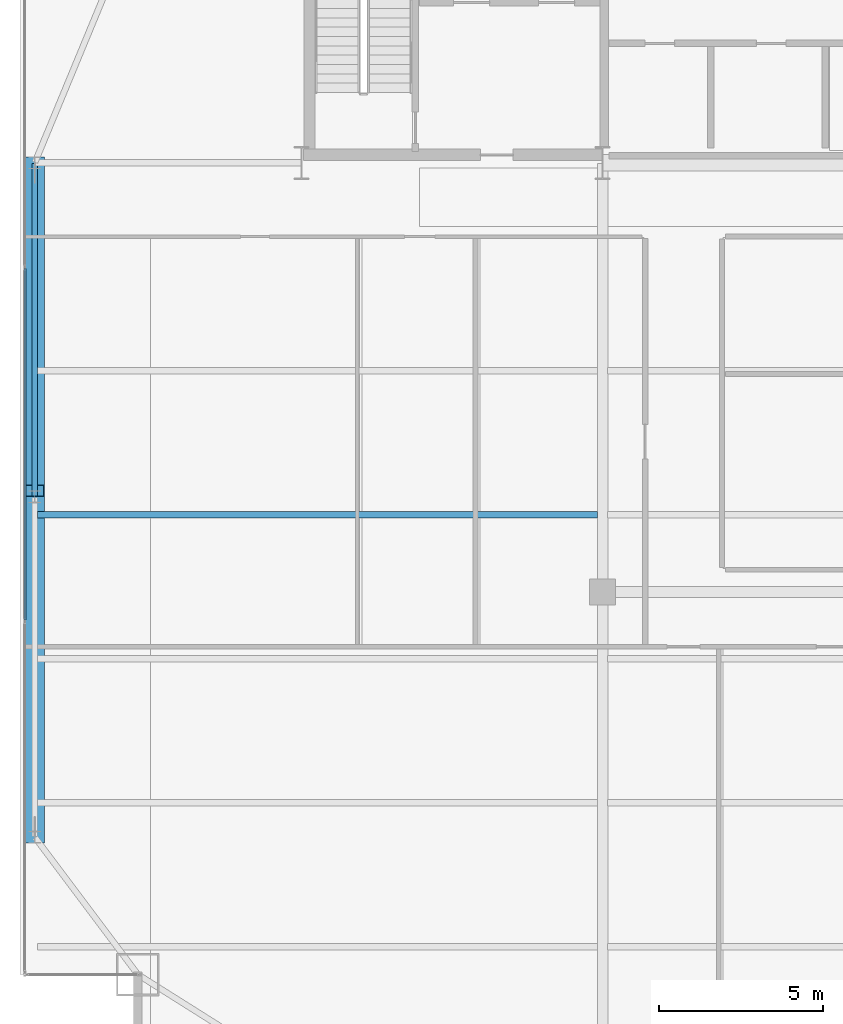
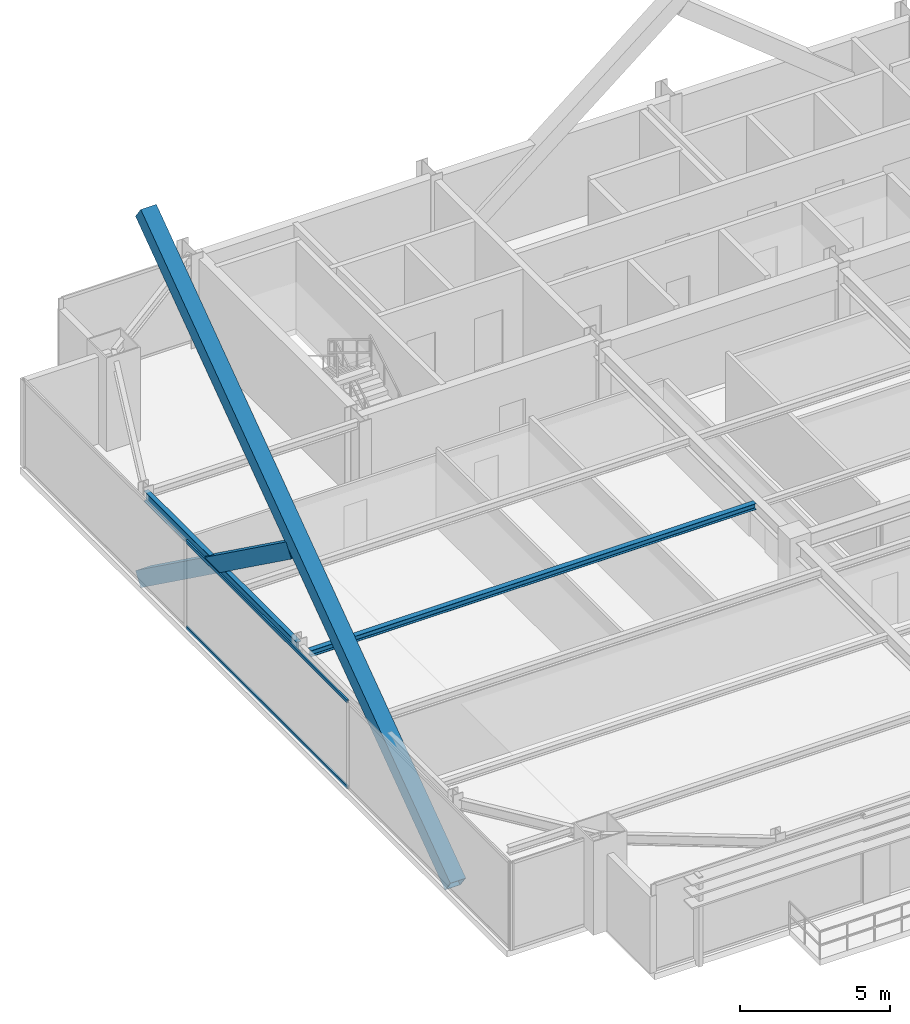
# One storey, part 11 of 34: 4 members, 2 beams, 1 element without a shape of its own.
"""IFC4 building model written with IfcOpenShell, lengths in metres."""

from ifc_helpers import new_model, si_unit, direction, frame, origin, origin_2d, place, context, subcontext, project, spatial, hollow_rectangle, i_section, extrude, source, transform, mapped, material, layer, layer_set, material_profile, profile_set, type_object, type_shapes, element, aggregate, save


model = new_model("IFC4")

# Units and contexts
model_context = context("Model", 3, precision=1e-05, world=origin(), true_north=direction((0.0, 1.0)))
body_context = subcontext(model_context, "Body", "Model", "MODEL_VIEW")
ifc_project = project(units=[si_unit("LENGTHUNIT", "METRE"), si_unit("AREAUNIT", "SQUARE_METRE"), si_unit("VOLUMEUNIT", "CUBIC_METRE"), si_unit("PLANEANGLEUNIT", "RADIAN"), si_unit("MASSUNIT", "GRAM", prefix="KILO")], contexts=[model_context])

# Site, building, storey
site_placement = place(None, origin())
site = spatial("IfcSite", under=ifc_project, at=site_placement, CompositionType="ELEMENT")
building_placement = place(site_placement, origin())
building = spatial("IfcBuilding", under=site, at=building_placement, Name="Varnel Quay Broadcast Tower", CompositionType="ELEMENT")
storey_placement = place(building_placement, frame((0.0, 0.0, 176.199951171875)))
storey = spatial("IfcBuildingStorey", under=building, at=storey_placement, Name="L43", CompositionType="ELEMENT", Elevation=176.199951171875)

# Beams
ifc_material_1 = material(Name="Structural Steel CSA G40.21 350W", Category="steel")
ifc_material_profile_1 = material_profile(ifc_material_1, i_section(OverallWidth=0.180908203125, OverallDepth=0.4169921875, WebThickness=0.010986328125, FlangeThickness=0.018310546875, FilletRadius=0.011962890625, at=origin_2d()), Name="W410X85")
ifc_profile_set_1 = profile_set([ifc_material_profile_1], Name="Structural Steel CSA G40.21 350W")
beam_type_1 = type_object("IfcBeamType", Name="Beam_W410X85", PredefinedType="SPANDREL", material=ifc_profile_set_1)
shared_shape_1 = source(origin(), body_context, "Body", "SweptSolid", [
    extrude(i_section(OverallWidth=0.180908203125, OverallDepth=0.4169921875, WebThickness=0.010986328125, FlangeThickness=0.018310546875, FilletRadius=0.011962890625, at=origin_2d()), origin(), (0.0, 0.0, 1.0), 10.16015625),
])
type_shapes(beam_type_1, [shared_shape_1])
beam_1_placement = place(storey_placement, frame((7.449951171875, 25.419921875, 3.341552734375), z_axis=(0.0, 1.0, 0.0), x_axis=(-1.0, 0.0, 0.0)))
element("IfcBeam", 1, at=beam_1_placement, inside=storey, type_object=beam_type_1, Name="L43 West Spandrel TC-W2-TC-W3", PredefinedType="SPANDREL", context=body_context, shape_type="MappedRepresentation", body=[
    mapped(shared_shape_1, transform((0.0, 0.0, 0.0), x_axis=(1.0, 0.0, 0.0), y_axis=(0.0, 1.0, 0.0), z_axis=(0.0, 0.0, 1.0), scale=1.0)),
])
ifc_material_profile_2 = material_profile(ifc_material_1, i_section(OverallWidth=0.201904296875, OverallDepth=0.2470703125, WebThickness=0.00732421875, FlangeThickness=0.010986328125, FilletRadius=0.010986328125, at=origin_2d()), Name="W250X49")
ifc_profile_set_2 = profile_set([ifc_material_profile_2], Name="Structural Steel CSA G40.21 350W")
beam_type_2 = type_object("IfcBeamType", Name="Beam_W250X49", PredefinedType="JOIST", material=ifc_profile_set_2)
shared_shape_2 = source(origin(), body_context, "Body", "SweptSolid", [
    extrude(i_section(OverallWidth=0.201904296875, OverallDepth=0.2470703125, WebThickness=0.00732421875, FlangeThickness=0.010986328125, FilletRadius=0.010986328125, at=origin_2d()), origin(), (0.0, 0.0, 1.0), 17.107177734375),
])
type_shapes(beam_type_2, [shared_shape_2])
beam_2_placement = place(storey_placement, frame((7.535400390625, 24.85009765625, 3.426513671875), z_axis=(1.0, 0.0, 0.0), x_axis=(0.0, 1.0, 0.0)))
element("IfcBeam", 2, at=beam_2_placement, inside=storey, type_object=beam_type_2, Name="L43 West Floor Joist 4", PredefinedType="JOIST", context=body_context, shape_type="MappedRepresentation", body=[
    mapped(shared_shape_2, transform((0.0, 0.0, 0.0), x_axis=(1.0, 0.0, 0.0), y_axis=(0.0, 1.0, 0.0), z_axis=(0.0, 0.0, 1.0), scale=1.0)),
])

# Members
ifc_material_2 = material(Name="Structural Steel CSA G40.21 350WT", Category="steel")
ifc_material_profile_3 = material_profile(ifc_material_2, hollow_rectangle(XDim=0.60009765625, YDim=0.60009765625, WallThickness=0.028076171875, at=origin_2d()), Name="BOX600X600X28")
ifc_profile_set_3 = profile_set([ifc_material_profile_3], Name="Structural Steel CSA G40.21 350WT")
member_type_1 = type_object("IfcMemberType", Name="Brace_BOX600X600X28", PredefinedType="BRACE", material=ifc_profile_set_3)
shared_shape_3 = source(origin(), body_context, "Body", "SweptSolid", [
    extrude(hollow_rectangle(XDim=0.60009765625, YDim=0.60009765625, WallThickness=0.028076171875, at=origin_2d()), origin(), (0.0, 0.0, 1.0), 25.412353515625),
])
member_1_placement = place(storey_placement, frame((7.449951171875, 15.0, 0.02001953125), z_axis=(0.0, 0.810636666149, 0.585549481679), x_axis=(-1.0, 0.0, 0.0)))
element("IfcMember", 3, at=member_1_placement, inside=storey, type_object=member_type_1, Name="Zone 3 Mega-Brace W-FT3 Continuous Diag A", PredefinedType="BRACE", context=body_context, shape_type="MappedRepresentation", body=[
    mapped(shared_shape_3, transform((0.0, 0.0, 0.0), x_axis=(1.0, 0.0, 0.0), y_axis=(0.0, 1.0, 0.0), z_axis=(0.0, 0.0, 1.0), scale=1.0)),
])
shared_shape_4 = source(origin(), body_context, "Body", "SweptSolid", [
    extrude(hollow_rectangle(XDim=0.60009765625, YDim=0.60009765625, WallThickness=0.028076171875, at=origin_2d()), origin(), (0.0, 0.0, 1.0), 12.364990234375),
])
type_shapes(member_type_1, [shared_shape_3, shared_shape_4])
member_2_placement = place(storey_placement, frame((7.449951171875, 35.60009765625, 0.02001953125), z_axis=(0.0, -0.810644343917, 0.585538852405), x_axis=(1.0, 0.0, 0.0)))
element("IfcMember", 4, at=member_2_placement, inside=storey, type_object=member_type_1, Name="Zone 3 Mega-Brace W-FT3 Split Diag B1", PredefinedType="BRACE", context=body_context, shape_type="MappedRepresentation", body=[
    mapped(shared_shape_4, transform((0.0, 0.0, 0.0), x_axis=(1.0, 0.0, 0.0), y_axis=(0.0, 1.0, 0.0), z_axis=(0.0, 0.0, 1.0), scale=1.0)),
])

# Curtain wall, members
ifc_material_3 = material(Name="Anodised Bronze Aluminium 6063-T6", Category="aluminium")
ifc_layer = layer(ifc_material_3, 0.18994140625, Name="Anodised Bronze Aluminium 6063-T6")
ifc_layer_set = layer_set([ifc_layer], Name="Anodised Bronze Aluminium 6063-T6")
curtain_wall_type = type_object("IfcCurtainWallType", Name="CW_UpperTower", PredefinedType="NOTDEFINED", material=ifc_layer_set)
curtain_wall_placement = place(storey_placement, origin())
curtain_wall = element("IfcCurtainWall", 5, at=curtain_wall_placement, inside=storey, type_object=curtain_wall_type, Name="L43 West Unitised Curtain Wall", PredefinedType="NOTDEFINED")
ifc_material_profile_4 = material_profile(ifc_material_3, hollow_rectangle(XDim=0.06005859375, YDim=0.125, WallThickness=0.0029296875, at=origin_2d()), Name="ALU60X125X3")
ifc_profile_set_4 = profile_set([ifc_material_profile_4], Name="Anodised Bronze Aluminium 6063-T6")
member_type_2 = type_object("IfcMemberType", Name="Tran_CWS-03", PredefinedType="USERDEFINED", material=ifc_profile_set_4)
shared_shape_5 = source(origin(), body_context, "Body", "SweptSolid", [
    extrude(hollow_rectangle(XDim=0.06005859375, YDim=0.125, WallThickness=0.0029296875, at=origin_2d()), origin(), (0.0, 0.0, 1.0), 10.73486328125),
])
type_shapes(member_type_2, [shared_shape_5])
member_3_placement = place(storey_placement, frame((7.14990234375, 21.632568359375, 0.030029296875), z_axis=(0.0, 1.0, 0.0), x_axis=(-1.0, 0.0, 0.0)))
member_3 = element("IfcMember", 6, at=member_3_placement, type_object=member_type_2, Name="CWS-03 transom 2.1", ObjectType="TRANSOM", PredefinedType="USERDEFINED", context=body_context, shape_type="MappedRepresentation", body=[
    mapped(shared_shape_5, transform((0.0, 0.0, 0.0), x_axis=(1.0, 0.0, 0.0), y_axis=(0.0, 1.0, 0.0), z_axis=(0.0, 0.0, 1.0), scale=1.0)),
])
member_4_placement = place(storey_placement, frame((7.14990234375, 21.632568359375, 3.52001953125), z_axis=(0.0, 1.0, 0.0), x_axis=(-1.0, 0.0, 0.0)))
member_4 = element("IfcMember", 7, at=member_4_placement, type_object=member_type_2, Name="CWS-03 transom 2.2", ObjectType="TRANSOM", PredefinedType="USERDEFINED", context=body_context, shape_type="MappedRepresentation", body=[
    mapped(shared_shape_5, transform((0.0, 0.0, 0.0), x_axis=(1.0, 0.0, 0.0), y_axis=(0.0, 1.0, 0.0), z_axis=(0.0, 0.0, 1.0), scale=1.0)),
])
aggregate(curtain_wall, [member_3, member_4])

save(model, "model.ifc")
